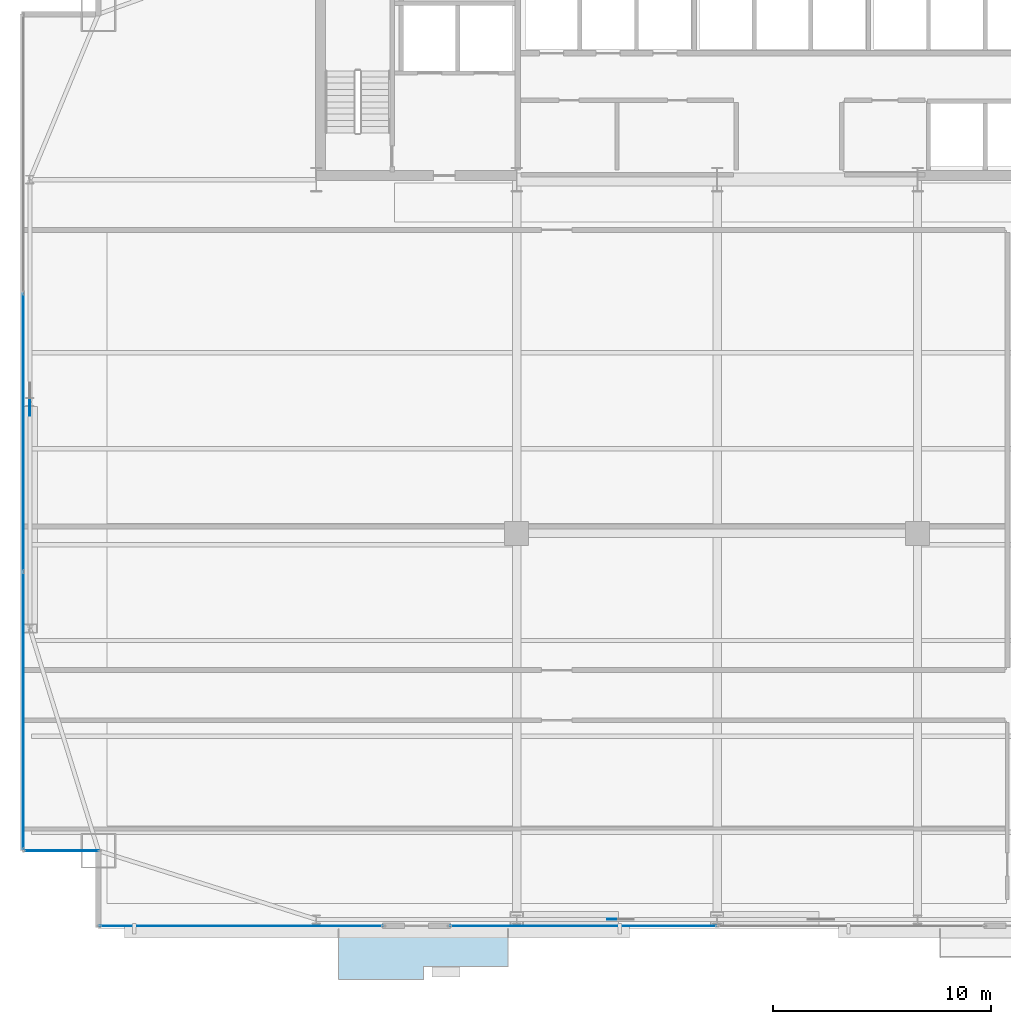
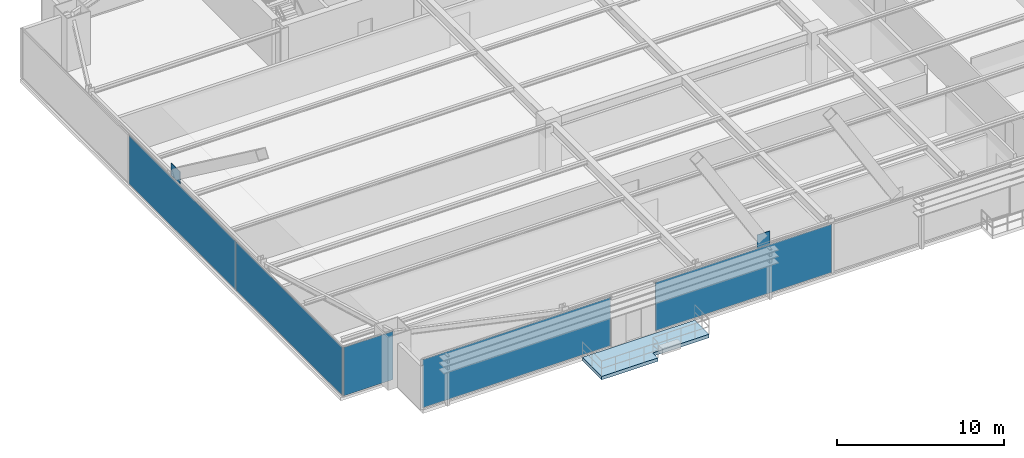
# One storey, part 24 of 34: 7 plates, 1 slab, 4 elements without a shape of their own.
"""IFC4 building model written with IfcOpenShell, lengths in metres."""

import ifcopenshell
import ifcopenshell.guid

model = None  # the IFC model being written
_history = None  # IfcOwnerHistory: only IFC2X3 demands one
_inside = {}  # id of a spatial element -> (the spatial element, [elements in it])
_under = {}  # id of a project, library or spatial element -> (it, [spatial elements below it])
_declared = {}  # id of a project -> (the project, [libraries it declares])
_typed = {}  # id of a type object -> (the type object, [elements of that type])
_made_of = {}  # id of a material, layer set ... -> (it, [elements and type objects made of it])


def new_model(schema):
    """Start an empty IFC model of exactly this schema.

    Asked for "IFC4X3", IfcOpenShell would pick the latest addendum, in which some entities
    have other attributes; the version numbers below select the first issue.
    IFC2X3 requires an IfcOwnerHistory on every rooted entity: one is made here for all.
    """
    global model, _history
    if schema == "IFC4X3":
        model = ifcopenshell.file(schema_version=(4, 3, 0, 0))
    else:
        model = ifcopenshell.file(schema=schema)
    _inside.clear()
    _under.clear()
    _declared.clear()
    _typed.clear()
    _made_of.clear()
    _history = None
    if model.schema == "IFC2X3":
        org = make("IfcOrganization", Name="unknown")
        user = make(
            "IfcPersonAndOrganization",
            ThePerson=make("IfcPerson", FamilyName="unknown"),
            TheOrganization=org,
        )
        app = make(
            "IfcApplication",
            ApplicationDeveloper=org,
            Version="unknown",
            ApplicationFullName="unknown",
            ApplicationIdentifier="unknown",
        )
        _history = make(
            "IfcOwnerHistory",
            OwningUser=user,
            OwningApplication=app,
            ChangeAction="ADDED",
            CreationDate=0,
        )
    return model


def make(cls, **values):
    """One entity of the class cls with the attributes given. An attribute that is None is left unset."""
    return model.create_entity(
        cls, **{name: value for name, value in values.items() if value is not None}
    )


def rooted(cls, **values):
    """An entity with a GlobalId (a new one), such as an element, a storey or a relation."""
    return make(cls, GlobalId=ifcopenshell.guid.new(), OwnerHistory=_history, **values)


def si_unit(unit_type, name, prefix=None):
    """IfcSIUnit, for example si_unit("LENGTHUNIT", "METRE", prefix="MILLI")."""
    return make("IfcSIUnit", UnitType=unit_type, Prefix=prefix, Name=name)


def assignment(units):
    """IfcUnitAssignment: the units of a project."""
    return None if units is None else make("IfcUnitAssignment", Units=units)


def point(xyz):
    """IfcCartesianPoint."""
    return None if xyz is None else make("IfcCartesianPoint", Coordinates=xyz)


def direction(xyz):
    """IfcDirection."""
    return None if xyz is None else make("IfcDirection", DirectionRatios=xyz)


def frame(location, z_axis=None, x_axis=None):
    """IfcAxis2Placement3D, a coordinate frame: its origin and axes. An axis left out is left unset."""
    return make(
        "IfcAxis2Placement3D",
        Location=point(location),
        Axis=direction(z_axis),
        RefDirection=direction(x_axis),
    )


def frame_2d(location, x_axis=None):
    """IfcAxis2Placement2D, a coordinate frame in the plane: its origin and x axis."""
    return make(
        "IfcAxis2Placement2D", Location=point(location), RefDirection=direction(x_axis)
    )


def origin():
    """The frame at (0, 0, 0) with its axes left unset."""
    return frame((0.0, 0.0, 0.0))


def origin_2d():
    """The frame at (0, 0) in the plane with its x axis left unset."""
    return frame_2d((0.0, 0.0))


def place(relative_to, where):
    """IfcLocalPlacement: puts the frame where relative to a parent placement (None: the world)."""
    return make(
        "IfcLocalPlacement", PlacementRelTo=relative_to, RelativePlacement=where
    )


def context(
    kind, dimensions, precision=None, world=None, true_north=None, identifier=None
):
    """IfcGeometricRepresentationContext, for example the 3D "Model" context."""
    return make(
        "IfcGeometricRepresentationContext",
        ContextIdentifier=identifier,
        ContextType=kind,
        CoordinateSpaceDimension=dimensions,
        Precision=precision,
        WorldCoordinateSystem=world,
        TrueNorth=true_north,
    )


def subcontext(parent, identifier, kind, view, scale=None):
    """IfcGeometricRepresentationSubContext, for example "Body" below "Model"."""
    return make(
        "IfcGeometricRepresentationSubContext",
        ContextIdentifier=identifier,
        ContextType=kind,
        ParentContext=parent,
        TargetScale=scale,
        TargetView=view,
    )


def project(units=None, contexts=None):
    """IfcProject with its units and contexts."""
    return rooted(
        "IfcProject",
        Name="project",
        RepresentationContexts=contexts,
        UnitsInContext=assignment(units),
    )


def spatial(cls, under=None, at=None, **own):
    """A site, building, storey or space (cls), placed at a placement, below another one or the project."""
    s = rooted(cls, ObjectPlacement=at, **own)
    if under is not None:
        _under.setdefault(under.id(), (under, []))[1].append(s)
    return s


def polyline(points):
    """IfcPolyline through the points."""
    return make("IfcPolyline", Points=[point(p) for p in points])


def profile(cls, at=None, kind="AREA", **sizes):
    """A parametric profile (cls). Its sizes go by their IFC names, for example OverallWidth=200.0."""
    return make(cls, ProfileType=kind, Position=at, **sizes)


def rectangle(**sizes):
    """IfcRectangleProfileDef."""
    return profile("IfcRectangleProfileDef", **sizes)


def outline(outer, holes=None, kind="AREA"):
    """IfcArbitraryClosedProfileDef: a profile drawn as a closed curve; with holes, ...WithVoids."""
    if holes is None:
        return make("IfcArbitraryClosedProfileDef", ProfileType=kind, OuterCurve=outer)
    return make(
        "IfcArbitraryProfileDefWithVoids",
        ProfileType=kind,
        OuterCurve=outer,
        InnerCurves=holes,
    )


def extrude(swept, where, along, depth):
    """IfcExtrudedAreaSolid: the profile swept, set in the frame where, extruded along a direction by depth."""
    return make(
        "IfcExtrudedAreaSolid",
        SweptArea=swept,
        Position=where,
        ExtrudedDirection=direction(along),
        Depth=depth,
    )


def shape(context_of_items, identifier, shape_type, items):
    """IfcShapeRepresentation: the items that make up one representation, for example the "Body"."""
    return make(
        "IfcShapeRepresentation",
        ContextOfItems=context_of_items,
        RepresentationIdentifier=identifier,
        RepresentationType=shape_type,
        Items=items,
    )


def source(mapping_origin, context_of_items, identifier, shape_type, items):
    """IfcRepresentationMap: a shape defined once, which mapped items show again and again."""
    return make(
        "IfcRepresentationMap",
        MappingOrigin=mapping_origin,
        MappedRepresentation=shape(context_of_items, identifier, shape_type, items),
    )


def transform(
    local_origin,
    x_axis=None,
    y_axis=None,
    z_axis=None,
    scale=None,
    scale2=None,
    scale3=None,
    uniform=True,
):
    """IfcCartesianTransformationOperator3D, or its non-uniform kind. x_axis, y_axis, z_axis: its Axis1, 2, 3."""
    if uniform:
        return make(
            "IfcCartesianTransformationOperator3D",
            Axis1=direction(x_axis),
            Axis2=direction(y_axis),
            LocalOrigin=point(local_origin),
            Scale=scale,
            Axis3=direction(z_axis),
        )
    return make(
        "IfcCartesianTransformationOperator3DnonUniform",
        Axis1=direction(x_axis),
        Axis2=direction(y_axis),
        LocalOrigin=point(local_origin),
        Scale=scale,
        Axis3=direction(z_axis),
        Scale2=scale2,
        Scale3=scale3,
    )


def mapped(mapping_source, mapping_target):
    """IfcMappedItem: shows the shape of a source again, moved by a transform."""
    return make(
        "IfcMappedItem", MappingSource=mapping_source, MappingTarget=mapping_target
    )


def material(Name=None, Category=None):
    """IfcMaterial."""
    return make("IfcMaterial", Name=Name, Category=Category)


def layer(
    of_material, thickness, ventilated=None, Name=None, Category=None, Priority=None
):
    """IfcMaterialLayer: one layer of a wall or slab, of a material (None: an air gap)."""
    return make(
        "IfcMaterialLayer",
        Material=of_material,
        LayerThickness=thickness,
        IsVentilated=ventilated,
        Name=Name,
        Category=Category,
        Priority=Priority,
    )


def layer_set(layers, Name=None):
    """IfcMaterialLayerSet."""
    return make("IfcMaterialLayerSet", MaterialLayers=layers, LayerSetName=Name)


def made_of(thing, what):
    """Note that an element or type object is made of a material, layer set ...; save() writes the relation."""
    if what is not None:
        _made_of.setdefault(what.id(), (what, []))[1].append(thing)
    return thing


def type_object(cls, material=None, **own):
    """A type object (cls), such as IfcWallType, which elements share."""
    return made_of(rooted(cls, **own), material)


def type_shapes(of_type, sources):
    """Give a type object the sources (RepresentationMaps) that its elements show as mapped items."""
    of_type.RepresentationMaps = sources


def element(
    cls,
    number,
    at=None,
    inside=None,
    cuts=None,
    type_object=None,
    material=None,
    context=None,
    identifier="Body",
    shape_type=None,
    held_by="IfcProductDefinitionShape",
    body=None,
    shapes=None,
    **own,
):
    """One element of the class cls, such as IfcWall. Its Tag is "e" and its number.

    at: its placement. inside: the storey or other place that contains it. cuts: it is an
    opening in that element (IfcRelVoidsElement). A single representation is given by context,
    identifier, shape_type and body (its items); several are given by shapes. held_by: the class
    of the entity that holds the representations. save() writes the other relations.
    """
    e = rooted(cls, Tag="e%d" % number, ObjectPlacement=at, **own)
    if body is not None:
        shapes = [shape(context, identifier, shape_type, body)]
    if shapes is not None:
        e.Representation = make(held_by, Representations=shapes)
    if inside is not None:
        _inside.setdefault(inside.id(), (inside, []))[1].append(e)
    if cuts is not None:
        rooted(
            "IfcRelVoidsElement", RelatingBuildingElement=cuts, RelatedOpeningElement=e
        )
    if type_object is not None:
        _typed.setdefault(type_object.id(), (type_object, []))[1].append(e)
    return made_of(e, material)


def aggregate(whole, parts):
    """IfcRelAggregates: a whole, such as a stair, and the parts it consists of."""
    return rooted("IfcRelAggregates", RelatingObject=whole, RelatedObjects=parts)


def save(model, path):
    """Write the relations noted so far, then the file.

    IfcRelAggregates (storeys below a building ...), IfcRelContainedInSpatialStructure (elements
    in a storey), IfcRelDefinesByType, IfcRelAssociatesMaterial and IfcRelDeclares: one each for
    every whole, place, type object, material and project.
    """
    for whole, parts in _under.values():
        aggregate(whole, parts)
    for where, things in _inside.values():
        rooted(
            "IfcRelContainedInSpatialStructure",
            RelatedElements=things,
            RelatingStructure=where,
        )
    for kind, things in _typed.values():
        rooted("IfcRelDefinesByType", RelatedObjects=things, RelatingType=kind)
    for what, things in _made_of.values():
        rooted("IfcRelAssociatesMaterial", RelatedObjects=things, RelatingMaterial=what)
    for by, libraries in _declared.values():
        rooted("IfcRelDeclares", RelatingContext=by, RelatedDefinitions=libraries)
    model.write(path)


model = new_model("IFC4")

# Units and contexts
model_context = context("Model", 3, precision=1e-05, world=origin(), true_north=direction((0.0, 1.0)))
body_context = subcontext(model_context, "Body", "Model", "MODEL_VIEW")
ifc_project = project(units=[si_unit("LENGTHUNIT", "METRE"), si_unit("AREAUNIT", "SQUARE_METRE"), si_unit("VOLUMEUNIT", "CUBIC_METRE"), si_unit("PLANEANGLEUNIT", "RADIAN"), si_unit("MASSUNIT", "GRAM", prefix="KILO")], contexts=[model_context])

# Site, building, storey
site_placement = place(None, origin())
site = spatial("IfcSite", under=ifc_project, at=site_placement, CompositionType="ELEMENT")
building_placement = place(site_placement, origin())
building = spatial("IfcBuilding", under=site, at=building_placement, Name="Varnel Quay Broadcast Tower", CompositionType="ELEMENT")
storey_placement = place(building_placement, frame((0.0, 0.0, 47.10009765625)))
storey = spatial("IfcBuildingStorey", under=building, at=storey_placement, Name="L10", CompositionType="ELEMENT", Elevation=47.10009765625)

# Slab
ifc_material_1 = material(Name="Concrete CSA A23.3 C40/50", Category="concrete")
ifc_layer_1 = layer(ifc_material_1, 0.25, Name="Concrete CSA A23.3 C40/50")
ifc_layer_set_1 = layer_set([ifc_layer_1], Name="Concrete CSA A23.3 C40/50")
slab_type = type_object("IfcSlabType", Name="Slab_ExtTerrace250", PredefinedType="FLOOR", material=ifc_layer_set_1)
slab_placement = place(storey_placement, frame((0.0, 0.0, -0.25)))
element("IfcSlab", 1, at=slab_placement, inside=storey, type_object=slab_type, Name="L10 Planted Lobe Terrace Slab 1", PredefinedType="FLOOR", context=body_context, shape_type="SweptSolid", body=[
    extrude(outline(polyline([(16.6298828125, -1.110107421875), (20.514892578125, -1.110107421875), (20.514892578125, -0.510009765625), (24.39990234375, -0.510009765625), (24.39990234375, 1.199951171875), (16.6298828125, 1.199951171875), (16.6298828125, -1.110107421875)])), origin(), (0.0, 0.0, 1.0), 0.25),
])

# Plates
ifc_material_2 = material(Name="Structural Steel CSA G40.21 350WT", Category="steel")
ifc_layer_2 = layer(ifc_material_2, 0.0400390625, Name="Structural Steel CSA G40.21 350WT")
ifc_layer_set_2 = layer_set([ifc_layer_2], Name="Structural Steel CSA G40.21 350WT")
plate_type_1 = type_object("IfcPlateType", Name="Plate_MegaGusset", PredefinedType="USERDEFINED", material=ifc_layer_set_2)
shared_shape_1 = source(origin(), body_context, "Body", "SweptSolid", [
    extrude(rectangle(XDim=0.8740234375, YDim=0.0400390625, at=origin_2d()), origin(), (0.0, 0.0, 1.0), 1.162109375),
])
plate_1_placement = place(storey_placement, frame((29.39990234375, 1.64990234375, 3.19384765625), z_axis=(0.0, 0.0, 1.0), x_axis=(1.0, 0.0, 0.0)))
element("IfcPlate", 2, at=plate_1_placement, inside=storey, type_object=plate_type_1, Name="Zone 1 Mega-Brace S-C1T2 Central X-Crossing Gusset Plate", ObjectType="GUSSET_PLATE", PredefinedType="USERDEFINED", context=body_context, shape_type="MappedRepresentation", body=[
    mapped(shared_shape_1, transform((0.0, 0.0, 0.0), x_axis=(1.0, 0.0, 0.0), y_axis=(0.0, 1.0, 0.0), z_axis=(0.0, 0.0, 1.0), scale=1.0)),
])
shared_shape_2 = source(origin(), body_context, "Body", "SweptSolid", [
    extrude(rectangle(XDim=1.06689453125, YDim=0.0400390625, at=origin_2d()), origin(), (0.0, 0.0, 1.0), 0.906005859375),
])
type_shapes(plate_type_1, [shared_shape_1, shared_shape_2])
plate_2_placement = place(storey_placement, frame((2.449951171875, 25.300048828125, 3.32177734375), z_axis=(0.0, 0.0, 1.0), x_axis=(0.0, 1.0, 0.0)))
element("IfcPlate", 3, at=plate_2_placement, inside=storey, type_object=plate_type_1, Name="Zone 1 Mega-Brace W-FT2 Central X-Crossing Gusset Plate", ObjectType="GUSSET_PLATE", PredefinedType="USERDEFINED", context=body_context, shape_type="MappedRepresentation", body=[
    mapped(shared_shape_2, transform((0.0, 0.0, 0.0), x_axis=(1.0, 0.0, 0.0), y_axis=(0.0, 1.0, 0.0), z_axis=(0.0, 0.0, 1.0), scale=1.0)),
])

# Curtain wall, plate
ifc_material_3 = material(Name="Anodised Bronze Aluminium 6063-T6", Category="aluminium")
ifc_layer_3 = layer(ifc_material_3, 0.18994140625, Name="Anodised Bronze Aluminium 6063-T6")
ifc_layer_set_3 = layer_set([ifc_layer_3], Name="Anodised Bronze Aluminium 6063-T6")
curtain_wall_type_1 = type_object("IfcCurtainWallType", Name="CW_LowerTower", PredefinedType="NOTDEFINED", material=ifc_layer_set_3)
curtain_wall_1_placement = place(storey_placement, origin())
curtain_wall_1 = element("IfcCurtainWall", 4, at=curtain_wall_1_placement, inside=storey, type_object=curtain_wall_type_1, Name="L10 South Unitised Curtain Wall 1", PredefinedType="NOTDEFINED")
ifc_material_4 = material(Name="Triple-Glazed Bronze Low-E Architectural Glass", Category="glass")
ifc_layer_4 = layer(ifc_material_4, 0.031982421875, Name="Triple-Glazed Bronze Low-E Architectural Glass")
ifc_layer_set_4 = layer_set([ifc_layer_4], Name="Triple-Glazed Bronze Low-E Architectural Glass")
plate_type_2 = type_object("IfcPlateType", Name="Panel_CWS-02", PredefinedType="CURTAIN_PANEL", material=ifc_layer_set_4)
shared_shape_3 = source(origin(), body_context, "Body", "SweptSolid", [
    extrude(rectangle(XDim=12.97998046875, YDim=0.031982421875, at=origin_2d()), origin(), (0.0, 0.0, 1.0), 3.530029296875),
])
plate_3_placement = place(storey_placement, frame((12.159912109375, 1.35009765625, 0.06005859375), z_axis=(0.0, 0.0, 1.0), x_axis=(1.0, 0.0, 0.0)))
plate_3 = element("IfcPlate", 5, at=plate_3_placement, type_object=plate_type_2, Name="CWS-02 panel 1.1", PredefinedType="CURTAIN_PANEL", context=body_context, shape_type="MappedRepresentation", body=[
    mapped(shared_shape_3, transform((0.0, 0.0, 0.0), x_axis=(1.0, 0.0, 0.0), y_axis=(0.0, 1.0, 0.0), z_axis=(0.0, 0.0, 1.0), scale=1.0)),
])
aggregate(curtain_wall_1, [plate_3])

curtain_wall_2_placement = place(storey_placement, origin())
curtain_wall_2 = element("IfcCurtainWall", 6, at=curtain_wall_2_placement, inside=storey, type_object=curtain_wall_type_1, Name="L10 South Unitised Curtain Wall 2", PredefinedType="NOTDEFINED")
ifc_material_5 = material(Name="Insulated Bronze Spandrel Glass", Category="glass")
ifc_layer_5 = layer(ifc_material_5, 0.031982421875, Name="Insulated Bronze Spandrel Glass")
ifc_layer_set_5 = layer_set([ifc_layer_5], Name="Insulated Bronze Spandrel Glass")
plate_type_3 = type_object("IfcPlateType", Name="PanelSp_CWS-02", PredefinedType="CURTAIN_PANEL", material=ifc_layer_set_5)
shared_shape_4 = source(origin(), body_context, "Body", "SweptSolid", [
    extrude(rectangle(XDim=12.215087890625, YDim=0.031982421875, at=origin_2d()), origin(), (0.0, 0.0, 1.0), 3.530029296875),
])
plate_4_placement = place(storey_placement, frame((27.857421875, 1.35009765625, 0.06005859375), z_axis=(0.0, 0.0, 1.0), x_axis=(1.0, 0.0, 0.0)))
plate_4 = element("IfcPlate", 7, at=plate_4_placement, type_object=plate_type_3, Name="CWS-02 panel 1.1", PredefinedType="CURTAIN_PANEL", context=body_context, shape_type="MappedRepresentation", body=[
    mapped(shared_shape_4, transform((0.0, 0.0, 0.0), x_axis=(1.0, 0.0, 0.0), y_axis=(0.0, 1.0, 0.0), z_axis=(0.0, 0.0, 1.0), scale=1.0)),
])
aggregate(curtain_wall_2, [plate_4])

curtain_wall_3_placement = place(storey_placement, origin())
curtain_wall_3 = element("IfcCurtainWall", 8, at=curtain_wall_3_placement, inside=storey, type_object=curtain_wall_type_1, Name="L10 West Unitised Curtain Wall", PredefinedType="NOTDEFINED")
shared_shape_5 = source(origin(), body_context, "Body", "SweptSolid", [
    extrude(rectangle(XDim=12.72998046875, YDim=0.031982421875, at=origin_2d()), origin(), (0.0, 0.0, 1.0), 3.530029296875),
])
type_shapes(plate_type_3, [shared_shape_4, shared_shape_5])
plate_5_placement = place(storey_placement, frame((2.14990234375, 24.0, 0.06005859375), z_axis=(0.0, 0.0, 1.0), x_axis=(0.0, 1.0, 0.0)))
plate_5 = element("IfcPlate", 9, at=plate_5_placement, type_object=plate_type_3, Name="CWS-02 panel 2.1", PredefinedType="CURTAIN_PANEL", context=body_context, shape_type="MappedRepresentation", body=[
    mapped(shared_shape_5, transform((0.0, 0.0, 0.0), x_axis=(1.0, 0.0, 0.0), y_axis=(0.0, 1.0, 0.0), z_axis=(0.0, 0.0, 1.0), scale=1.0)),
])

ifc_layer_6 = layer(ifc_material_3, 0.18994140625, Name="Anodised Bronze Aluminium 6063-T6")
ifc_layer_set_6 = layer_set([ifc_layer_6], Name="Anodised Bronze Aluminium 6063-T6")
curtain_wall_type_2 = type_object("IfcCurtainWallType", Name="CW_NotchCorner", PredefinedType="NOTDEFINED", material=ifc_layer_set_6)
curtain_wall_4_placement = place(storey_placement, origin())
curtain_wall_4 = element("IfcCurtainWall", 10, at=curtain_wall_4_placement, inside=storey, type_object=curtain_wall_type_2, Name="L10 SW Notch Curtain Wall", PredefinedType="NOTDEFINED")
ifc_layer_7 = layer(ifc_material_4, 0.028076171875, Name="Triple-Glazed Bronze Low-E Architectural Glass")
ifc_layer_set_7 = layer_set([ifc_layer_7], Name="Triple-Glazed Bronze Low-E Architectural Glass")
plate_type_4 = type_object("IfcPlateType", Name="Panel_CWS-04", PredefinedType="CURTAIN_PANEL", material=ifc_layer_set_7)
shared_shape_6 = source(origin(), body_context, "Body", "SweptSolid", [
    extrude(rectangle(XDim=3.409912109375, YDim=0.028076171875, at=origin_2d()), origin(), (0.0, 0.0, 1.0), 3.5400390625),
])
type_shapes(plate_type_4, [shared_shape_6])
plate_6_placement = place(storey_placement, frame((3.9150390625, 4.800048828125, 0.054931640625), z_axis=(0.0, 0.0, 1.0), x_axis=(1.0, 0.0, 0.0)))
plate_6 = element("IfcPlate", 11, at=plate_6_placement, type_object=plate_type_4, Name="CWS-04 panel 1.1", PredefinedType="CURTAIN_PANEL", context=body_context, shape_type="MappedRepresentation", body=[
    mapped(shared_shape_6, transform((0.0, 0.0, 0.0), x_axis=(1.0, 0.0, 0.0), y_axis=(0.0, 1.0, 0.0), z_axis=(0.0, 0.0, 1.0), scale=1.0)),
])
aggregate(curtain_wall_4, [plate_6])

# Plate
shared_shape_7 = source(origin(), body_context, "Body", "SweptSolid", [
    extrude(rectangle(XDim=12.695068359375, YDim=0.031982421875, at=origin_2d()), origin(), (0.0, 0.0, 1.0), 3.530029296875),
])
type_shapes(plate_type_2, [shared_shape_3, shared_shape_7])
plate_7_placement = place(storey_placement, frame((2.14990234375, 11.217529296875, 0.06005859375), z_axis=(0.0, 0.0, 1.0), x_axis=(0.0, 1.0, 0.0)))
plate_7 = element("IfcPlate", 12, at=plate_7_placement, type_object=plate_type_2, Name="CWS-02 panel 1.1", PredefinedType="CURTAIN_PANEL", context=body_context, shape_type="MappedRepresentation", body=[
    mapped(shared_shape_7, transform((0.0, 0.0, 0.0), x_axis=(1.0, 0.0, 0.0), y_axis=(0.0, 1.0, 0.0), z_axis=(0.0, 0.0, 1.0), scale=1.0)),
])

aggregate(curtain_wall_3, [plate_7, plate_5])

save(model, "model.ifc")
